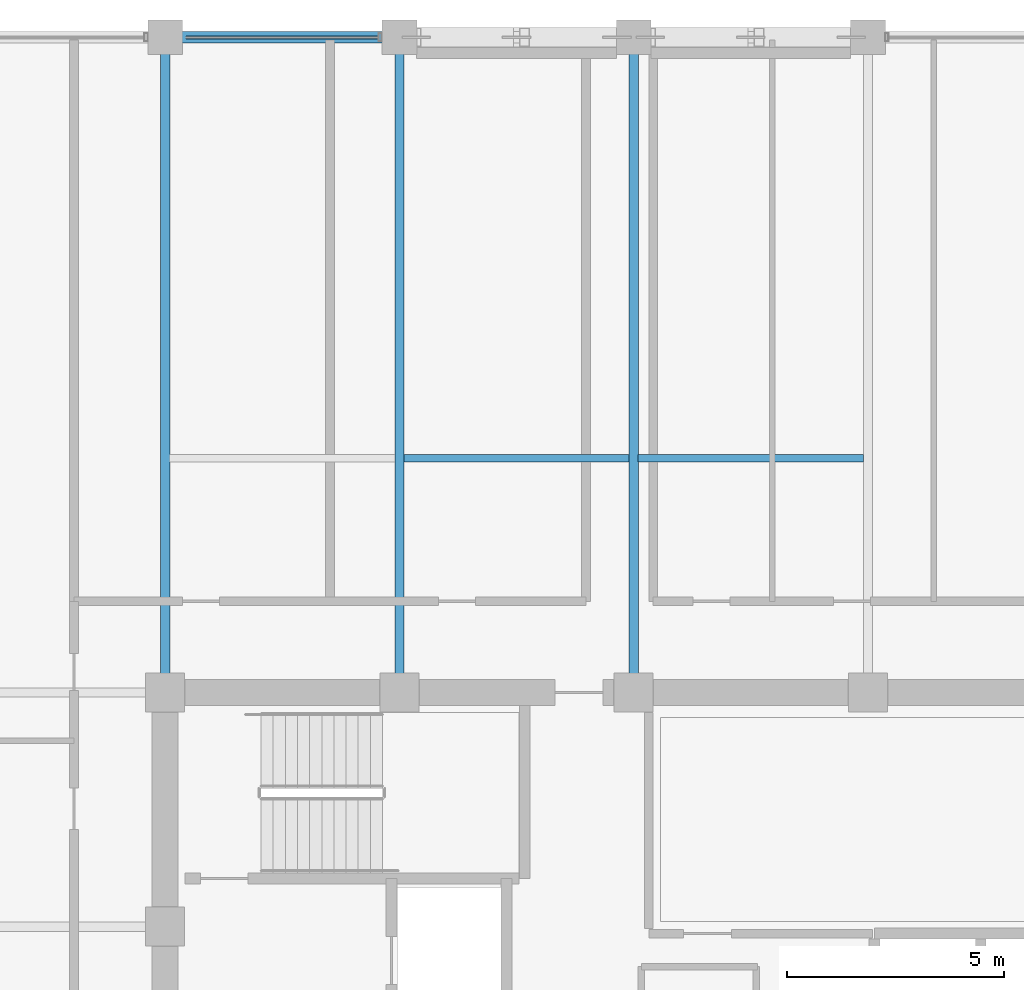
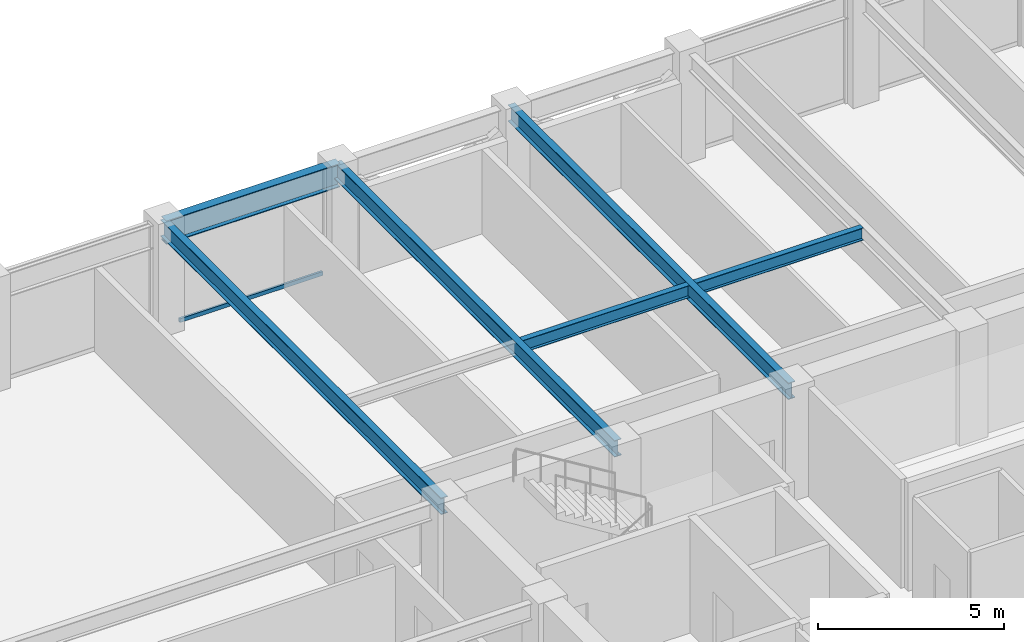
# One storey, part 20 of 32: 6 beams, 1 member, 1 element without a shape of its own.
"""IFC4 building model written with IfcOpenShell, lengths in metres."""

from ifc_helpers import new_model, si_unit, direction, frame, origin, origin_2d, place, context, subcontext, project, spatial, hollow_rectangle, i_section, extrude, material, layer, layer_set, material_profile, profile_set, type_object, element, aggregate, save


model = new_model("IFC4")

# Units and contexts
model_context = context("Model", 3, precision=1e-05, world=origin(), true_north=direction((0.0, 1.0)))
body_context = subcontext(model_context, "Body", "Model", "MODEL_VIEW")
ifc_project = project(units=[si_unit("LENGTHUNIT", "METRE"), si_unit("AREAUNIT", "SQUARE_METRE"), si_unit("VOLUMEUNIT", "CUBIC_METRE"), si_unit("PLANEANGLEUNIT", "RADIAN"), si_unit("MASSUNIT", "GRAM", prefix="KILO")], contexts=[model_context])

# Site, building, storey
site_placement = place(None, origin())
site = spatial("IfcSite", under=ifc_project, at=site_placement, CompositionType="ELEMENT")
building_placement = place(site_placement, origin())
building = spatial("IfcBuilding", under=site, at=building_placement, Name="Surkhivell Harbour Commons", CompositionType="ELEMENT")
storey_placement = place(building_placement, frame((0.0, 0.0, 216.0)))
storey = spatial("IfcBuildingStorey", under=building, at=storey_placement, Name="L56", CompositionType="ELEMENT", Elevation=216.0)

# Beams
ifc_material_1 = material(Name="Steel S355", Category="steel")
ifc_material_profile_1 = material_profile(ifc_material_1, i_section(OverallWidth=0.2119140625, OverallDepth=0.5439453125, WebThickness=0.0126953125, FlangeThickness=0.021240234375, at=origin_2d()), Name="UB533x210x122")
ifc_profile_set_1 = profile_set([ifc_material_profile_1], Name="Steel S355")
beam_type_1 = type_object("IfcBeamType", Name="BM-GRD-533A", PredefinedType="BEAM", material=ifc_profile_set_1)
for number, where, z_axis, x_axis, name in (
    (1, (-10.800048828125, 10.800048828125, 3.298095703125), (0.0, 1.0, 0.0), (-1.0, 0.0, 0.0), "L56 Floor Girder (-10.8,10.8)"),
    (2, (-5.39990234375, 10.800048828125, 3.298095703125), (0.0, 1.0, 0.0), (-1.0, 0.0, 0.0), "L56 Floor Girder (-5.4,10.8)"),
    (3, (0.0, 10.800048828125, 3.298095703125), (0.0, 1.0, 0.0), (-1.0, 0.0, 0.0), "L56 Floor Girder (0.0,10.8)"),
):
    element("IfcBeam", number, at=place(storey_placement, frame(where, z_axis=z_axis, x_axis=x_axis)), inside=storey, type_object=beam_type_1, Name=name, PredefinedType="BEAM", context=body_context, shape_type="SweptSolid", body=[
        extrude(i_section(OverallWidth=0.2119140625, OverallDepth=0.5439453125, WebThickness=0.0126953125, FlangeThickness=0.021240234375, at=origin_2d()), origin(), (0.0, 0.0, 1.0), 15.099853515625),
    ])
ifc_material_profile_2 = material_profile(ifc_material_1, i_section(OverallWidth=0.178955078125, OverallDepth=0.408935546875, WebThickness=0.0087890625, FlangeThickness=0.014404296875, at=origin_2d()), Name="UB406x178x67")
ifc_profile_set_2 = profile_set([ifc_material_profile_2], Name="Steel S355")
beam_type_2 = type_object("IfcBeamType", Name="BM-JST-406", PredefinedType="JOIST", material=ifc_profile_set_2)
for number, where, z_axis, x_axis, name in (
    (4, (-5.2958984375, 16.199951171875, 3.365478515625), (1.0, 0.0, 0.0), (0.0, 1.0, 0.0), "L56 North Composite Joist (-5.4)"),
    (5, (0.10400390625, 16.199951171875, 3.365478515625), (1.0, 0.0, 0.0), (0.0, 1.0, 0.0), "L56 North Composite Joist (0.0)"),
):
    element("IfcBeam", number, at=place(storey_placement, frame(where, z_axis=z_axis, x_axis=x_axis)), inside=storey, type_object=beam_type_2, Name=name, PredefinedType="JOIST", context=body_context, shape_type="SweptSolid", body=[
        extrude(i_section(OverallWidth=0.178955078125, OverallDepth=0.408935546875, WebThickness=0.0087890625, FlangeThickness=0.014404296875, at=origin_2d()), origin(), (0.0, 0.0, 1.0), 5.19189453125),
    ])
ifc_material_profile_3 = material_profile(ifc_material_1, i_section(OverallWidth=0.26806640625, OverallDepth=0.77001953125, WebThickness=0.015625, FlangeThickness=0.025390625, at=origin_2d()), Name="UB762x267x197")
ifc_profile_set_3 = profile_set([ifc_material_profile_3], Name="Steel S355")
beam_type_3 = type_object("IfcBeamType", Name="BM-SPN-762", PredefinedType="SPANDREL", material=ifc_profile_set_3)
beam_placement = place(storey_placement, frame((-10.800048828125, 25.89990234375, 3.18505859375), z_axis=(1.0, 0.0, 0.0), x_axis=(0.0, 1.0, 0.0)))
element("IfcBeam", 6, at=beam_placement, inside=storey, type_object=beam_type_3, Name="L56 Tube Spandrel (-10.8,25.9)", PredefinedType="SPANDREL", context=body_context, shape_type="SweptSolid", body=[
    extrude(i_section(OverallWidth=0.26806640625, OverallDepth=0.77001953125, WebThickness=0.015625, FlangeThickness=0.025390625, at=origin_2d()), origin(), (0.0, 0.0, 1.0), 5.400146484375),
])

# Curtain wall, member
ifc_material_2 = material(Name="Anodised pale-metal aluminium and insulated glazing", Category="aluminium")
ifc_layer = layer(ifc_material_2, 0.18994140625)
ifc_layer_set = layer_set([ifc_layer], Name="Anodised pale-metal aluminium and insulated glazing")
curtain_wall_type = type_object("IfcCurtainWallType", Name="CW-SYS-Z3", PredefinedType="NOTDEFINED", material=ifc_layer_set)
curtain_wall_placement = place(storey_placement, origin())
curtain_wall = element("IfcCurtainWall", 7, at=curtain_wall_placement, inside=storey, type_object=curtain_wall_type, Name="L56 Curtain Wall CW-L56-E07S2", PredefinedType="NOTDEFINED")
ifc_material_3 = material(Name="Champagne anodised aluminium alloy 6063-T6", Category="aluminium")
ifc_material_profile_4 = material_profile(ifc_material_3, hollow_rectangle(XDim=0.070068359375, YDim=0.1298828125, WallThickness=0.00341796875, at=origin_2d()), Name="ALU-TRAN-70x130")
ifc_profile_set_4 = profile_set([ifc_material_profile_4], Name="Champagne anodised aluminium alloy 6063-T6")
member_type = type_object("IfcMemberType", Name="CWT-130", PredefinedType="USERDEFINED", material=ifc_profile_set_4)
member_placement = place(storey_placement, frame((-5.876953125, 25.89990234375, 0.06494140625), z_axis=(-1.0, 0.0, 0.0), x_axis=(0.0, -1.0, 0.0)))
member = element("IfcMember", 8, at=member_placement, type_object=member_type, Name="CW-Z3 transom 1.1", ObjectType="TRANSOM", PredefinedType="USERDEFINED", context=body_context, shape_type="SweptSolid", body=[
    extrude(hollow_rectangle(XDim=0.070068359375, YDim=0.1298828125, WallThickness=0.00341796875, at=origin_2d()), origin(), (0.0, 0.0, 1.0), 4.446044921875),
])
aggregate(curtain_wall, [member])

save(model, "model.ifc")
